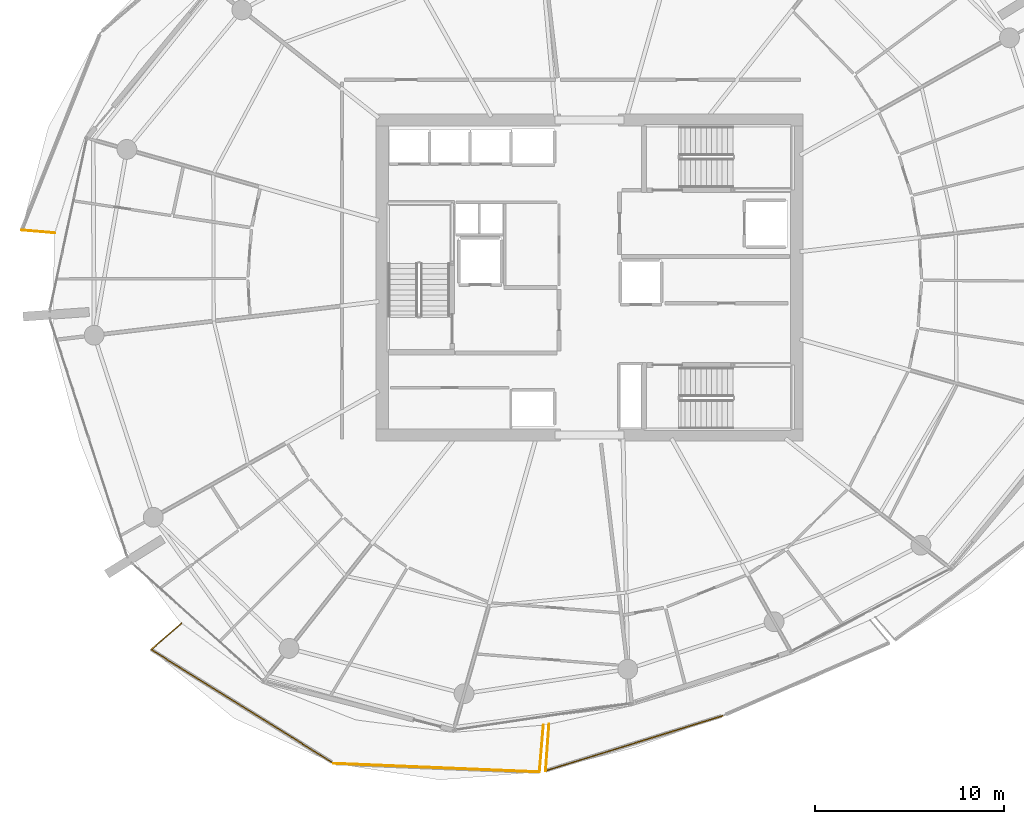
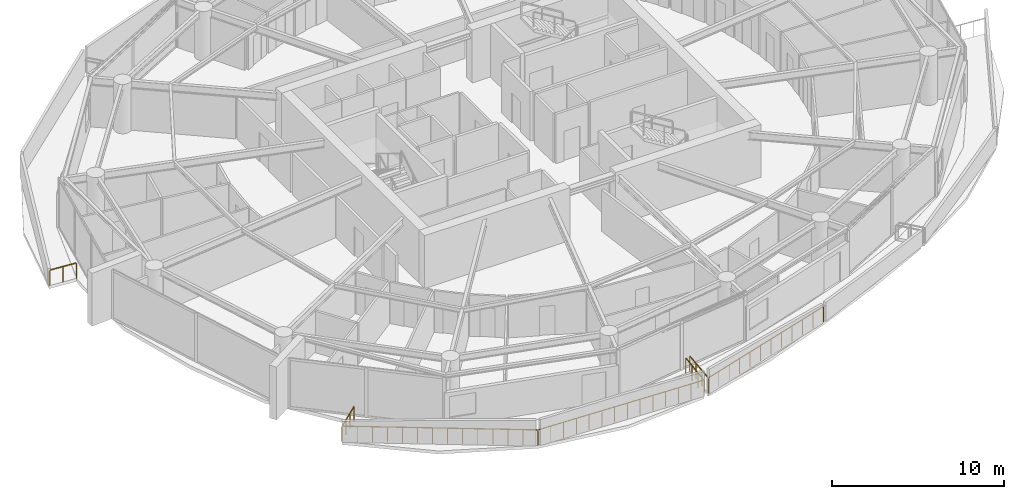
# One storey, part 16 of 20: 7 railings.
"""IFC4 building model written with IfcOpenShell, lengths in metres."""

from ifc_helpers import new_model, si_unit, direction, frame, origin, origin_2d, place, context, subcontext, project, spatial, rectangle, extrude, material, type_object, element, save


model = new_model("IFC4")

# Units and contexts
model_context = context("Model", 3, precision=1e-05, world=origin(), true_north=direction((0.0, 1.0)))
body_context = subcontext(model_context, "Body", "Model", "MODEL_VIEW")
ifc_project = project(units=[si_unit("LENGTHUNIT", "METRE"), si_unit("AREAUNIT", "SQUARE_METRE"), si_unit("VOLUMEUNIT", "CUBIC_METRE"), si_unit("PLANEANGLEUNIT", "RADIAN"), si_unit("MASSUNIT", "GRAM", prefix="KILO")], contexts=[model_context])

# Site, building, storey
site_placement = place(None, origin())
site = spatial("IfcSite", under=ifc_project, at=site_placement, CompositionType="ELEMENT")
building_placement = place(site_placement, origin())
building = spatial("IfcBuilding", under=site, at=building_placement, Name="Kazma Halo Residences", CompositionType="ELEMENT")
storey_placement = place(building_placement, frame((0.0, 0.0, 206.550048828125)))
storey = spatial("IfcBuildingStorey", under=building, at=storey_placement, Name="L52", CompositionType="ELEMENT", Elevation=206.550048828125)

# Railings
ifc_material = material(Name="Aluminium AW-6063 T6 Brushed Cap Rail", Category="aluminium")
railing_type = type_object("IfcRailingType", Name="RLG-BAL-CAP-1120", PredefinedType="BALUSTRADE", material=ifc_material)
railing_1_placement = place(storey_placement, frame((18.413818359375, 44.510498046875, 0.0)))
element("IfcRailing", 1, at=railing_1_placement, inside=storey, type_object=railing_type, Name="L52 NW wave balcony guard 4", PredefinedType="BALUSTRADE", context=body_context, shape_type="SweptSolid", body=[
    extrude(rectangle(XDim=0.050048828125, YDim=0.050048828125, at=origin_2d()), frame((0.04248046875, -0.003662109375, 1.09521484375), z_axis=(0.996418198559, -0.084562246784, 0.0), x_axis=(0.084562246784, 0.996418198559, 0.0)), (0.0, 0.0, 1.0), 1.673095703125),
    extrude(rectangle(XDim=0.0400390625, YDim=0.0400390625, at=origin_2d()), origin(), (0.0, 0.0, 1.0), 1.05810546875),
    extrude(rectangle(XDim=0.0400390625, YDim=0.0400390625, at=origin_2d()), frame((0.8759765625, -0.07421875, 0.0)), (0.0, 0.0, 1.0), 1.05810546875),
    extrude(rectangle(XDim=0.0400390625, YDim=0.0400390625, at=origin_2d()), frame((1.751953125, -0.148681640625, 0.0)), (0.0, 0.0, 1.0), 1.05810546875),
])
railing_2_placement = place(storey_placement, frame((26.869873046875, 23.728759765625, 0.0)))
element("IfcRailing", 2, at=railing_2_placement, inside=storey, type_object=railing_type, Name="L52 SW wave balcony guard 1", PredefinedType="BALUSTRADE", context=body_context, shape_type="SweptSolid", body=[
    extrude(rectangle(XDim=0.050048828125, YDim=0.050048828125, at=origin_2d()), frame((-0.0322265625, -0.02783203125, 1.09521484375), z_axis=(-0.75640764882, -0.654100503597, 0.0), x_axis=(0.654100503597, -0.75640764882, 0.0)), (0.0, 0.0, 1.0), 2.04345703125),
    extrude(rectangle(XDim=0.0400390625, YDim=0.0400390625, at=origin_2d()), origin(), (0.0, 0.0, 1.0), 1.05810546875),
    extrude(rectangle(XDim=0.0400390625, YDim=0.0400390625, at=origin_2d()), frame((-0.53662109375, -0.464111328125, 0.0)), (0.0, 0.0, 1.0), 1.05810546875),
    extrude(rectangle(XDim=0.0400390625, YDim=0.0400390625, at=origin_2d()), frame((-1.073486328125, -0.92822265625, 0.0)), (0.0, 0.0, 1.0), 1.05810546875),
    extrude(rectangle(XDim=0.0400390625, YDim=0.0400390625, at=origin_2d()), frame((-1.610107421875, -1.392333984375, 0.0)), (0.0, 0.0, 1.0), 1.05810546875),
])
railing_3_placement = place(storey_placement, frame((25.259765625, 22.33642578125, 0.0)))
element("IfcRailing", 3, at=railing_3_placement, inside=storey, type_object=railing_type, Name="L52 SW wave balcony guard 2", PredefinedType="BALUSTRADE", context=body_context, shape_type="SweptSolid", body=[
    extrude(rectangle(XDim=0.050048828125, YDim=0.050048828125, at=origin_2d()), frame((0.0361328125, -0.0224609375, 1.09521484375), z_axis=(0.848753354087, -0.528788940812, 0.0), x_axis=(0.528788940812, 0.848753354087, 0.0)), (0.0, 0.0, 1.0), 11.29150390625),
    extrude(rectangle(XDim=0.0400390625, YDim=0.0400390625, at=origin_2d()), origin(), (0.0, 0.0, 1.0), 1.05810546875),
    extrude(rectangle(XDim=0.0400390625, YDim=0.0400390625, at=origin_2d()), frame((0.74267578125, -0.462646484375, 0.0)), (0.0, 0.0, 1.0), 1.05810546875),
    extrude(rectangle(XDim=0.0400390625, YDim=0.0400390625, at=origin_2d()), frame((1.485595703125, -0.925537109375, 0.0)), (0.0, 0.0, 1.0), 1.05810546875),
    extrude(rectangle(XDim=0.0400390625, YDim=0.0400390625, at=origin_2d()), frame((2.228271484375, -1.38818359375, 0.0)), (0.0, 0.0, 1.0), 1.05810546875),
    extrude(rectangle(XDim=0.0400390625, YDim=0.0400390625, at=origin_2d()), frame((2.97119140625, -1.85107421875, 0.0)), (0.0, 0.0, 1.0), 1.05810546875),
    extrude(rectangle(XDim=0.0400390625, YDim=0.0400390625, at=origin_2d()), frame((3.7138671875, -2.313720703125, 0.0)), (0.0, 0.0, 1.0), 1.05810546875),
    extrude(rectangle(XDim=0.0400390625, YDim=0.0400390625, at=origin_2d()), frame((4.45654296875, -2.776611328125, 0.0)), (0.0, 0.0, 1.0), 1.05810546875),
    extrude(rectangle(XDim=0.0400390625, YDim=0.0400390625, at=origin_2d()), frame((5.199462890625, -3.2392578125, 0.0)), (0.0, 0.0, 1.0), 1.05810546875),
    extrude(rectangle(XDim=0.0400390625, YDim=0.0400390625, at=origin_2d()), frame((5.942138671875, -3.7021484375, 0.0)), (0.0, 0.0, 1.0), 1.05810546875),
    extrude(rectangle(XDim=0.0400390625, YDim=0.0400390625, at=origin_2d()), frame((6.684814453125, -4.164794921875, 0.0)), (0.0, 0.0, 1.0), 1.05810546875),
    extrude(rectangle(XDim=0.0400390625, YDim=0.0400390625, at=origin_2d()), frame((7.427734375, -4.627685546875, 0.0)), (0.0, 0.0, 1.0), 1.05810546875),
    extrude(rectangle(XDim=0.0400390625, YDim=0.0400390625, at=origin_2d()), frame((8.17041015625, -5.09033203125, 0.0)), (0.0, 0.0, 1.0), 1.05810546875),
    extrude(rectangle(XDim=0.0400390625, YDim=0.0400390625, at=origin_2d()), frame((8.913330078125, -5.55322265625, 0.0)), (0.0, 0.0, 1.0), 1.05810546875),
    extrude(rectangle(XDim=0.0400390625, YDim=0.0400390625, at=origin_2d()), frame((9.656005859375, -6.015869140625, 0.0)), (0.0, 0.0, 1.0), 1.05810546875),
])
railing_4_placement = place(storey_placement, frame((34.915771484375, 16.320556640625, 0.0)))
element("IfcRailing", 4, at=railing_4_placement, inside=storey, type_object=railing_type, Name="L52 SW wave balcony guard 3", PredefinedType="BALUSTRADE", context=body_context, shape_type="SweptSolid", body=[
    extrude(rectangle(XDim=0.050048828125, YDim=0.050048828125, at=origin_2d()), frame((0.04248046875, -0.001708984375, 1.09521484375), z_axis=(0.999139247637, -0.041482090486, 0.0), x_axis=(0.041482090486, 0.999139247637, 0.0)), (0.0, 0.0, 1.0), 10.791259765625),
    extrude(rectangle(XDim=0.0400390625, YDim=0.0400390625, at=origin_2d()), origin(), (0.0, 0.0, 1.0), 1.05810546875),
    extrude(rectangle(XDim=0.0400390625, YDim=0.0400390625, at=origin_2d()), frame((0.8359375, -0.03466796875, 0.0)), (0.0, 0.0, 1.0), 1.05810546875),
    extrude(rectangle(XDim=0.0400390625, YDim=0.0400390625, at=origin_2d()), frame((1.671875, -0.0693359375, 0.0)), (0.0, 0.0, 1.0), 1.05810546875),
    extrude(rectangle(XDim=0.0400390625, YDim=0.0400390625, at=origin_2d()), frame((2.5078125, -0.10400390625, 0.0)), (0.0, 0.0, 1.0), 1.05810546875),
    extrude(rectangle(XDim=0.0400390625, YDim=0.0400390625, at=origin_2d()), frame((3.34375, -0.138916015625, 0.0)), (0.0, 0.0, 1.0), 1.05810546875),
    extrude(rectangle(XDim=0.0400390625, YDim=0.0400390625, at=origin_2d()), frame((4.1796875, -0.173583984375, 0.0)), (0.0, 0.0, 1.0), 1.05810546875),
    extrude(rectangle(XDim=0.0400390625, YDim=0.0400390625, at=origin_2d()), frame((5.015625, -0.208251953125, 0.0)), (0.0, 0.0, 1.0), 1.05810546875),
    extrude(rectangle(XDim=0.0400390625, YDim=0.0400390625, at=origin_2d()), frame((5.851318359375, -0.242919921875, 0.0)), (0.0, 0.0, 1.0), 1.05810546875),
    extrude(rectangle(XDim=0.0400390625, YDim=0.0400390625, at=origin_2d()), frame((6.687255859375, -0.277587890625, 0.0)), (0.0, 0.0, 1.0), 1.05810546875),
    extrude(rectangle(XDim=0.0400390625, YDim=0.0400390625, at=origin_2d()), frame((7.523193359375, -0.312255859375, 0.0)), (0.0, 0.0, 1.0), 1.05810546875),
    extrude(rectangle(XDim=0.0400390625, YDim=0.0400390625, at=origin_2d()), frame((8.359130859375, -0.34716796875, 0.0)), (0.0, 0.0, 1.0), 1.05810546875),
    extrude(rectangle(XDim=0.0400390625, YDim=0.0400390625, at=origin_2d()), frame((9.195068359375, -0.3818359375, 0.0)), (0.0, 0.0, 1.0), 1.05810546875),
    extrude(rectangle(XDim=0.0400390625, YDim=0.0400390625, at=origin_2d()), frame((10.031005859375, -0.41650390625, 0.0)), (0.0, 0.0, 1.0), 1.05810546875),
    extrude(rectangle(XDim=0.0400390625, YDim=0.0400390625, at=origin_2d()), frame((10.866943359375, -0.451171875, 0.0)), (0.0, 0.0, 1.0), 1.05810546875),
])
railing_5_placement = place(storey_placement, frame((45.78271484375, 15.869384765625, 0.0)))
element("IfcRailing", 5, at=railing_5_placement, inside=storey, type_object=railing_type, Name="L52 SW wave balcony guard 4", PredefinedType="BALUSTRADE", context=body_context, shape_type="SweptSolid", body=[
    extrude(rectangle(XDim=0.050048828125, YDim=0.050048828125, at=origin_2d()), frame((0.003662109375, 0.04248046875, 1.09521484375), z_axis=(0.084639935833, 0.996411602332, 0.0), x_axis=(-0.996411602332, 0.084639935833, 0.0)), (0.0, 0.0, 1.0), 2.3984375),
    extrude(rectangle(XDim=0.0400390625, YDim=0.0400390625, at=origin_2d()), origin(), (0.0, 0.0, 1.0), 1.05810546875),
    extrude(rectangle(XDim=0.0400390625, YDim=0.0400390625, at=origin_2d()), frame((0.070068359375, 0.824951171875, 0.0)), (0.0, 0.0, 1.0), 1.05810546875),
    extrude(rectangle(XDim=0.0400390625, YDim=0.0400390625, at=origin_2d()), frame((0.14013671875, 1.649658203125, 0.0)), (0.0, 0.0, 1.0), 1.05810546875),
    extrude(rectangle(XDim=0.0400390625, YDim=0.0400390625, at=origin_2d()), frame((0.210205078125, 2.474609375, 0.0)), (0.0, 0.0, 1.0), 1.05810546875),
])
railing_6_placement = place(storey_placement, frame((46.286865234375, 18.387939453125, 0.0)))
element("IfcRailing", 6, at=railing_6_placement, inside=storey, type_object=railing_type, Name="L52 SSE wave balcony guard 1", PredefinedType="BALUSTRADE", context=body_context, shape_type="SweptSolid", body=[
    extrude(rectangle(XDim=0.050048828125, YDim=0.050048828125, at=origin_2d()), frame((-0.003173828125, -0.04248046875, 1.09521484375), z_axis=(-0.072387043976, -0.997376616863, 0.0), x_axis=(0.997376616863, -0.072387043976, 0.0)), (0.0, 0.0, 1.0), 2.38037109375),
    extrude(rectangle(XDim=0.0400390625, YDim=0.0400390625, at=origin_2d()), origin(), (0.0, 0.0, 1.0), 1.05810546875),
    extrude(rectangle(XDim=0.0400390625, YDim=0.0400390625, at=origin_2d()), frame((-0.0595703125, -0.819580078125, 0.0)), (0.0, 0.0, 1.0), 1.05810546875),
    extrude(rectangle(XDim=0.0400390625, YDim=0.0400390625, at=origin_2d()), frame((-0.118896484375, -1.639404296875, 0.0)), (0.0, 0.0, 1.0), 1.05810546875),
    extrude(rectangle(XDim=0.0400390625, YDim=0.0400390625, at=origin_2d()), frame((-0.178466796875, -2.458984375, 0.0)), (0.0, 0.0, 1.0), 1.05810546875),
])
railing_7_placement = place(storey_placement, frame((46.1083984375, 15.928955078125, 0.0)))
element("IfcRailing", 7, at=railing_7_placement, inside=storey, type_object=railing_type, Name="L52 SSE wave balcony guard 2", PredefinedType="BALUSTRADE", context=body_context, shape_type="SweptSolid", body=[
    extrude(rectangle(XDim=0.050048828125, YDim=0.050048828125, at=origin_2d()), frame((0.04052734375, 0.0126953125, 1.09521484375), z_axis=(0.954910471932, 0.296893904609, 0.0), x_axis=(-0.296893904609, 0.954910471932, 0.0)), (0.0, 0.0, 1.0), 9.771240234375),
    extrude(rectangle(XDim=0.0400390625, YDim=0.0400390625, at=origin_2d()), origin(), (0.0, 0.0, 1.0), 1.05810546875),
    extrude(rectangle(XDim=0.0400390625, YDim=0.0400390625, at=origin_2d()), frame((0.855712890625, 0.26611328125, 0.0)), (0.0, 0.0, 1.0), 1.05810546875),
    extrude(rectangle(XDim=0.0400390625, YDim=0.0400390625, at=origin_2d()), frame((1.711181640625, 0.531982421875, 0.0)), (0.0, 0.0, 1.0), 1.05810546875),
    extrude(rectangle(XDim=0.0400390625, YDim=0.0400390625, at=origin_2d()), frame((2.56689453125, 0.798095703125, 0.0)), (0.0, 0.0, 1.0), 1.05810546875),
    extrude(rectangle(XDim=0.0400390625, YDim=0.0400390625, at=origin_2d()), frame((3.422607421875, 1.064208984375, 0.0)), (0.0, 0.0, 1.0), 1.05810546875),
    extrude(rectangle(XDim=0.0400390625, YDim=0.0400390625, at=origin_2d()), frame((4.278076171875, 1.330078125, 0.0)), (0.0, 0.0, 1.0), 1.05810546875),
    extrude(rectangle(XDim=0.0400390625, YDim=0.0400390625, at=origin_2d()), frame((5.1337890625, 1.59619140625, 0.0)), (0.0, 0.0, 1.0), 1.05810546875),
    extrude(rectangle(XDim=0.0400390625, YDim=0.0400390625, at=origin_2d()), frame((5.9892578125, 1.862060546875, 0.0)), (0.0, 0.0, 1.0), 1.05810546875),
    extrude(rectangle(XDim=0.0400390625, YDim=0.0400390625, at=origin_2d()), frame((6.844970703125, 2.128173828125, 0.0)), (0.0, 0.0, 1.0), 1.05810546875),
    extrude(rectangle(XDim=0.0400390625, YDim=0.0400390625, at=origin_2d()), frame((7.70068359375, 2.394287109375, 0.0)), (0.0, 0.0, 1.0), 1.05810546875),
    extrude(rectangle(XDim=0.0400390625, YDim=0.0400390625, at=origin_2d()), frame((8.55615234375, 2.66015625, 0.0)), (0.0, 0.0, 1.0), 1.05810546875),
    extrude(rectangle(XDim=0.0400390625, YDim=0.0400390625, at=origin_2d()), frame((9.411865234375, 2.92626953125, 0.0)), (0.0, 0.0, 1.0), 1.05810546875),
])

save(model, "model.ifc")
